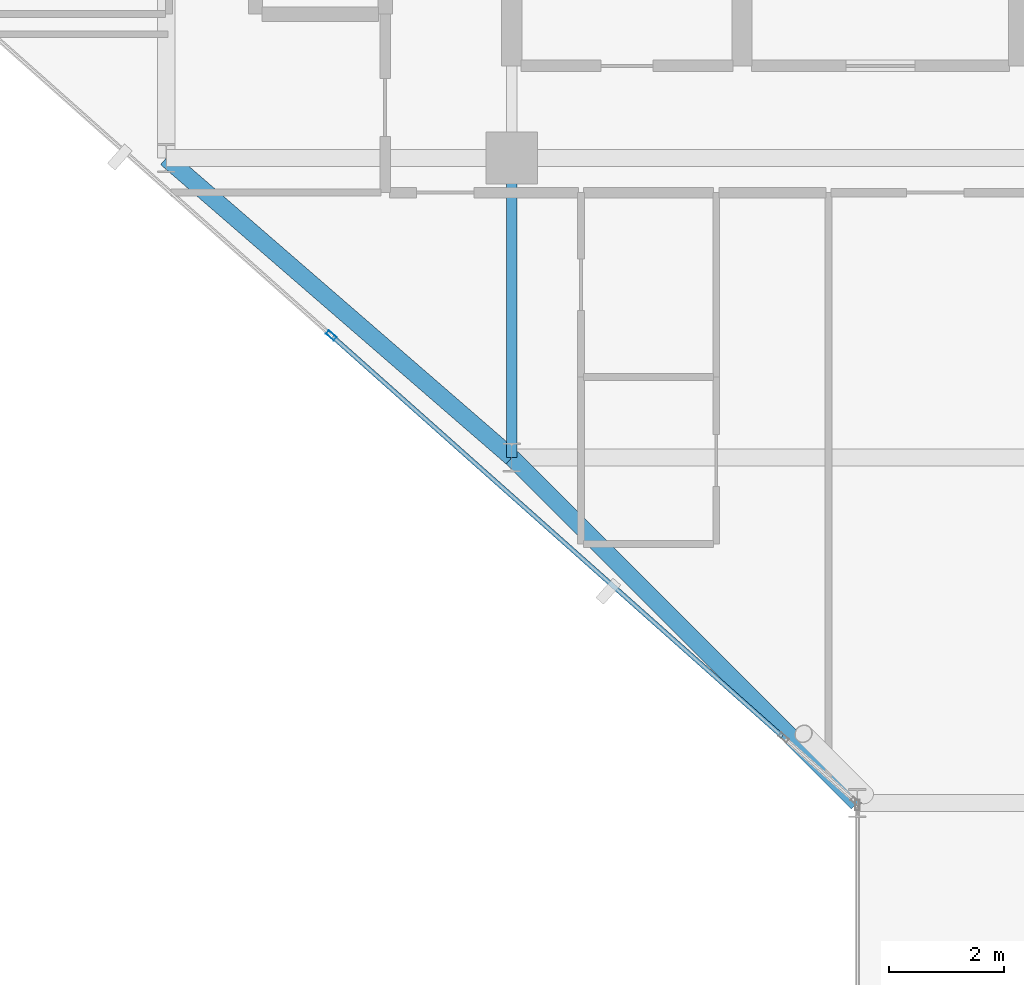
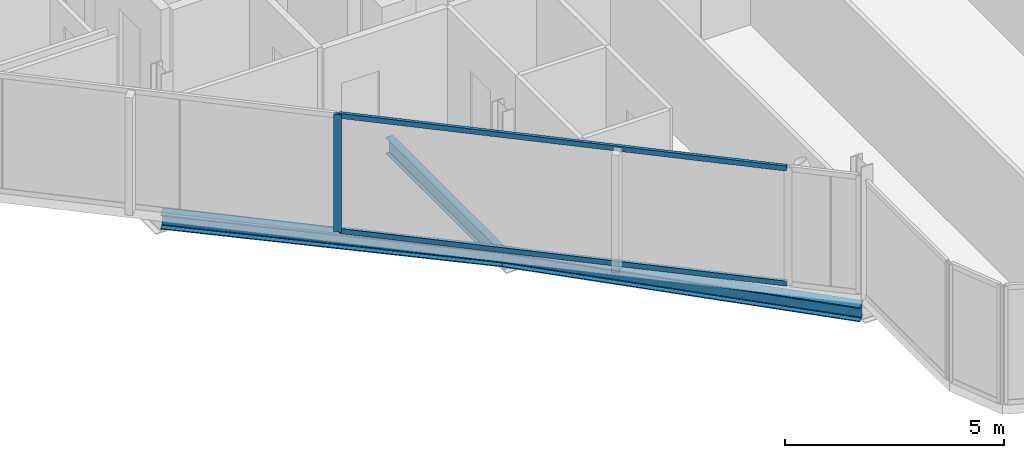
# One storey, part 4 of 31: 3 beams, 3 members, 1 element without a shape of its own.
"""IFC4 building model written with IfcOpenShell, lengths in metres."""

import ifcopenshell
import ifcopenshell.guid

model = None  # the IFC model being written
_history = None  # IfcOwnerHistory: only IFC2X3 demands one
_inside = {}  # id of a spatial element -> (the spatial element, [elements in it])
_under = {}  # id of a project, library or spatial element -> (it, [spatial elements below it])
_declared = {}  # id of a project -> (the project, [libraries it declares])
_typed = {}  # id of a type object -> (the type object, [elements of that type])
_made_of = {}  # id of a material, layer set ... -> (it, [elements and type objects made of it])


def new_model(schema):
    """Start an empty IFC model of exactly this schema.

    Asked for "IFC4X3", IfcOpenShell would pick the latest addendum, in which some entities
    have other attributes; the version numbers below select the first issue.
    IFC2X3 requires an IfcOwnerHistory on every rooted entity: one is made here for all.
    """
    global model, _history
    if schema == "IFC4X3":
        model = ifcopenshell.file(schema_version=(4, 3, 0, 0))
    else:
        model = ifcopenshell.file(schema=schema)
    _inside.clear()
    _under.clear()
    _declared.clear()
    _typed.clear()
    _made_of.clear()
    _history = None
    if model.schema == "IFC2X3":
        org = make("IfcOrganization", Name="unknown")
        user = make(
            "IfcPersonAndOrganization",
            ThePerson=make("IfcPerson", FamilyName="unknown"),
            TheOrganization=org,
        )
        app = make(
            "IfcApplication",
            ApplicationDeveloper=org,
            Version="unknown",
            ApplicationFullName="unknown",
            ApplicationIdentifier="unknown",
        )
        _history = make(
            "IfcOwnerHistory",
            OwningUser=user,
            OwningApplication=app,
            ChangeAction="ADDED",
            CreationDate=0,
        )
    return model


def make(cls, **values):
    """One entity of the class cls with the attributes given. An attribute that is None is left unset."""
    return model.create_entity(
        cls, **{name: value for name, value in values.items() if value is not None}
    )


def rooted(cls, **values):
    """An entity with a GlobalId (a new one), such as an element, a storey or a relation."""
    return make(cls, GlobalId=ifcopenshell.guid.new(), OwnerHistory=_history, **values)


def si_unit(unit_type, name, prefix=None):
    """IfcSIUnit, for example si_unit("LENGTHUNIT", "METRE", prefix="MILLI")."""
    return make("IfcSIUnit", UnitType=unit_type, Prefix=prefix, Name=name)


def assignment(units):
    """IfcUnitAssignment: the units of a project."""
    return None if units is None else make("IfcUnitAssignment", Units=units)


def point(xyz):
    """IfcCartesianPoint."""
    return None if xyz is None else make("IfcCartesianPoint", Coordinates=xyz)


def direction(xyz):
    """IfcDirection."""
    return None if xyz is None else make("IfcDirection", DirectionRatios=xyz)


def frame(location, z_axis=None, x_axis=None):
    """IfcAxis2Placement3D, a coordinate frame: its origin and axes. An axis left out is left unset."""
    return make(
        "IfcAxis2Placement3D",
        Location=point(location),
        Axis=direction(z_axis),
        RefDirection=direction(x_axis),
    )


def frame_2d(location, x_axis=None):
    """IfcAxis2Placement2D, a coordinate frame in the plane: its origin and x axis."""
    return make(
        "IfcAxis2Placement2D", Location=point(location), RefDirection=direction(x_axis)
    )


def origin():
    """The frame at (0, 0, 0) with its axes left unset."""
    return frame((0.0, 0.0, 0.0))


def origin_2d():
    """The frame at (0, 0) in the plane with its x axis left unset."""
    return frame_2d((0.0, 0.0))


def place(relative_to, where):
    """IfcLocalPlacement: puts the frame where relative to a parent placement (None: the world)."""
    return make(
        "IfcLocalPlacement", PlacementRelTo=relative_to, RelativePlacement=where
    )


def context(
    kind, dimensions, precision=None, world=None, true_north=None, identifier=None
):
    """IfcGeometricRepresentationContext, for example the 3D "Model" context."""
    return make(
        "IfcGeometricRepresentationContext",
        ContextIdentifier=identifier,
        ContextType=kind,
        CoordinateSpaceDimension=dimensions,
        Precision=precision,
        WorldCoordinateSystem=world,
        TrueNorth=true_north,
    )


def subcontext(parent, identifier, kind, view, scale=None):
    """IfcGeometricRepresentationSubContext, for example "Body" below "Model"."""
    return make(
        "IfcGeometricRepresentationSubContext",
        ContextIdentifier=identifier,
        ContextType=kind,
        ParentContext=parent,
        TargetScale=scale,
        TargetView=view,
    )


def project(units=None, contexts=None):
    """IfcProject with its units and contexts."""
    return rooted(
        "IfcProject",
        Name="project",
        RepresentationContexts=contexts,
        UnitsInContext=assignment(units),
    )


def spatial(cls, under=None, at=None, **own):
    """A site, building, storey or space (cls), placed at a placement, below another one or the project."""
    s = rooted(cls, ObjectPlacement=at, **own)
    if under is not None:
        _under.setdefault(under.id(), (under, []))[1].append(s)
    return s


def profile(cls, at=None, kind="AREA", **sizes):
    """A parametric profile (cls). Its sizes go by their IFC names, for example OverallWidth=200.0."""
    return make(cls, ProfileType=kind, Position=at, **sizes)


def hollow_rectangle(**sizes):
    """IfcRectangleHollowProfileDef."""
    return profile("IfcRectangleHollowProfileDef", **sizes)


def i_section(**sizes):
    """IfcIShapeProfileDef."""
    return profile("IfcIShapeProfileDef", **sizes)


def extrude(swept, where, along, depth):
    """IfcExtrudedAreaSolid: the profile swept, set in the frame where, extruded along a direction by depth."""
    return make(
        "IfcExtrudedAreaSolid",
        SweptArea=swept,
        Position=where,
        ExtrudedDirection=direction(along),
        Depth=depth,
    )


def shape(context_of_items, identifier, shape_type, items):
    """IfcShapeRepresentation: the items that make up one representation, for example the "Body"."""
    return make(
        "IfcShapeRepresentation",
        ContextOfItems=context_of_items,
        RepresentationIdentifier=identifier,
        RepresentationType=shape_type,
        Items=items,
    )


def material(Name=None, Category=None):
    """IfcMaterial."""
    return make("IfcMaterial", Name=Name, Category=Category)


def layer(
    of_material, thickness, ventilated=None, Name=None, Category=None, Priority=None
):
    """IfcMaterialLayer: one layer of a wall or slab, of a material (None: an air gap)."""
    return make(
        "IfcMaterialLayer",
        Material=of_material,
        LayerThickness=thickness,
        IsVentilated=ventilated,
        Name=Name,
        Category=Category,
        Priority=Priority,
    )


def layer_set(layers, Name=None):
    """IfcMaterialLayerSet."""
    return make("IfcMaterialLayerSet", MaterialLayers=layers, LayerSetName=Name)


def material_profile(
    of_material, cross_section, Name=None, Category=None, Priority=None
):
    """IfcMaterialProfile: a cross section and its material."""
    return make(
        "IfcMaterialProfile",
        Name=Name,
        Material=of_material,
        Profile=cross_section,
        Priority=Priority,
        Category=Category,
    )


def profile_set(profiles, Name=None, composite=None):
    """IfcMaterialProfileSet."""
    return make(
        "IfcMaterialProfileSet",
        Name=Name,
        MaterialProfiles=profiles,
        CompositeProfile=composite,
    )


def made_of(thing, what):
    """Note that an element or type object is made of a material, layer set ...; save() writes the relation."""
    if what is not None:
        _made_of.setdefault(what.id(), (what, []))[1].append(thing)
    return thing


def type_object(cls, material=None, **own):
    """A type object (cls), such as IfcWallType, which elements share."""
    return made_of(rooted(cls, **own), material)


def element(
    cls,
    number,
    at=None,
    inside=None,
    cuts=None,
    type_object=None,
    material=None,
    context=None,
    identifier="Body",
    shape_type=None,
    held_by="IfcProductDefinitionShape",
    body=None,
    shapes=None,
    **own,
):
    """One element of the class cls, such as IfcWall. Its Tag is "e" and its number.

    at: its placement. inside: the storey or other place that contains it. cuts: it is an
    opening in that element (IfcRelVoidsElement). A single representation is given by context,
    identifier, shape_type and body (its items); several are given by shapes. held_by: the class
    of the entity that holds the representations. save() writes the other relations.
    """
    e = rooted(cls, Tag="e%d" % number, ObjectPlacement=at, **own)
    if body is not None:
        shapes = [shape(context, identifier, shape_type, body)]
    if shapes is not None:
        e.Representation = make(held_by, Representations=shapes)
    if inside is not None:
        _inside.setdefault(inside.id(), (inside, []))[1].append(e)
    if cuts is not None:
        rooted(
            "IfcRelVoidsElement", RelatingBuildingElement=cuts, RelatedOpeningElement=e
        )
    if type_object is not None:
        _typed.setdefault(type_object.id(), (type_object, []))[1].append(e)
    return made_of(e, material)


def aggregate(whole, parts):
    """IfcRelAggregates: a whole, such as a stair, and the parts it consists of."""
    return rooted("IfcRelAggregates", RelatingObject=whole, RelatedObjects=parts)


def save(model, path):
    """Write the relations noted so far, then the file.

    IfcRelAggregates (storeys below a building ...), IfcRelContainedInSpatialStructure (elements
    in a storey), IfcRelDefinesByType, IfcRelAssociatesMaterial and IfcRelDeclares: one each for
    every whole, place, type object, material and project.
    """
    for whole, parts in _under.values():
        aggregate(whole, parts)
    for where, things in _inside.values():
        rooted(
            "IfcRelContainedInSpatialStructure",
            RelatedElements=things,
            RelatingStructure=where,
        )
    for kind, things in _typed.values():
        rooted("IfcRelDefinesByType", RelatedObjects=things, RelatingType=kind)
    for what, things in _made_of.values():
        rooted("IfcRelAssociatesMaterial", RelatedObjects=things, RelatingMaterial=what)
    for by, libraries in _declared.values():
        rooted("IfcRelDeclares", RelatingContext=by, RelatedDefinitions=libraries)
    model.write(path)


model = new_model("IFC4")

# Units and contexts
model_context = context("Model", 3, precision=1e-05, world=origin(), true_north=direction((0.0, 1.0)))
body_context = subcontext(model_context, "Body", "Model", "MODEL_VIEW")
ifc_project = project(units=[si_unit("LENGTHUNIT", "METRE"), si_unit("AREAUNIT", "SQUARE_METRE"), si_unit("VOLUMEUNIT", "CUBIC_METRE"), si_unit("PLANEANGLEUNIT", "RADIAN"), si_unit("MASSUNIT", "GRAM", prefix="KILO")], contexts=[model_context])

# Site, building, storey
site_placement = place(None, origin())
site = spatial("IfcSite", under=ifc_project, at=site_placement, CompositionType="ELEMENT")
building_placement = place(site_placement, origin())
building = spatial("IfcBuilding", under=site, at=building_placement, Name="Keshet Zoharim Tower", CompositionType="ELEMENT")
storey_placement = place(building_placement, frame((0.0, 0.0, 155.699951171875)))
storey = spatial("IfcBuildingStorey", under=building, at=storey_placement, Name="L38", CompositionType="ELEMENT", Elevation=155.699951171875)

# Beams
ifc_material_1 = material(Name="Steel S355", Category="steel")
ifc_material_profile_1 = material_profile(ifc_material_1, i_section(OverallWidth=0.18994140625, OverallDepth=0.449951171875, WebThickness=0.009521484375, FlangeThickness=0.0146484375, FilletRadius=0.02099609375, at=origin_2d()), Name="IPE450")
ifc_profile_set_1 = profile_set([ifc_material_profile_1], Name="Steel S355")
beam_type_1 = type_object("IfcBeamType", Name="BM-PRI-IP450", PredefinedType="BEAM", material=ifc_profile_set_1)
beam_1_placement = place(storey_placement, frame((15.0, 12.699951171875, -0.5400390625), z_axis=(0.0, 1.0, 0.0), x_axis=(-1.0, 0.0, 0.0)))
element("IfcBeam", 1, at=beam_1_placement, inside=storey, type_object=beam_type_1, Name="L38 Primary Girder Y-002", PredefinedType="BEAM", context=body_context, shape_type="SweptSolid", body=[
    extrude(i_section(OverallWidth=0.18994140625, OverallDepth=0.449951171875, WebThickness=0.009521484375, FlangeThickness=0.0146484375, FilletRadius=0.02099609375, at=origin_2d()), origin(), (0.0, 0.0, 1.0), 5.199951171875),
])
ifc_material_profile_2 = material_profile(ifc_material_1, i_section(OverallWidth=0.300048828125, OverallDepth=0.39990234375, WebThickness=0.013427734375, FlangeThickness=0.02392578125, FilletRadius=0.027099609375, at=origin_2d()), Name="HEB400")
ifc_profile_set_2 = profile_set([ifc_material_profile_2], Name="Steel S355")
beam_type_2 = type_object("IfcBeamType", Name="BM-SPN-HB400", PredefinedType="SPANDREL", material=ifc_profile_set_2)
beam_2_placement = place(storey_placement, frame((21.0, 6.699951171875, -0.514892578125), z_axis=(-0.707106781187, 0.707106781187, 0.0), x_axis=(-0.707106781187, -0.707106781187, 0.0)))
element("IfcBeam", 2, at=beam_2_placement, inside=storey, type_object=beam_type_2, Name="L38 Perimeter Spandrel Beam 01", PredefinedType="SPANDREL", context=body_context, shape_type="SweptSolid", body=[
    extrude(i_section(OverallWidth=0.300048828125, OverallDepth=0.39990234375, WebThickness=0.013427734375, FlangeThickness=0.02392578125, FilletRadius=0.027099609375, at=origin_2d()), origin(), (0.0, 0.0, 1.0), 8.4853515625),
])
beam_3_placement = place(storey_placement, frame((9.0, 17.89990234375, -0.514892578125), z_axis=(0.755692126483, -0.654927026447, 0.0), x_axis=(0.654927026447, 0.755692126483, 0.0)))
element("IfcBeam", 3, at=beam_3_placement, inside=storey, type_object=beam_type_2, Name="L38 Perimeter Spandrel Beam 02", PredefinedType="SPANDREL", context=body_context, shape_type="SweptSolid", body=[
    extrude(i_section(OverallWidth=0.300048828125, OverallDepth=0.39990234375, WebThickness=0.013427734375, FlangeThickness=0.02392578125, FilletRadius=0.027099609375, at=origin_2d()), origin(), (0.0, 0.0, 1.0), 7.939697265625),
])

# Curtain wall, members
ifc_material_2 = material(Name="Aluminium 6063-T6", Category="aluminium")
ifc_layer = layer(ifc_material_2, 0.159912109375)
ifc_layer_set = layer_set([ifc_layer], Name="Aluminium 6063-T6")
curtain_wall_type = type_object("IfcCurtainWallType", Name="CW-SYS-03", PredefinedType="NOTDEFINED", material=ifc_layer_set)
curtain_wall_placement = place(storey_placement, origin())
curtain_wall = element("IfcCurtainWall", 4, at=curtain_wall_placement, inside=storey, type_object=curtain_wall_type, Name="L38 Unitised Curtain Wall 07 Part 2", PredefinedType="NOTDEFINED")
ifc_material_profile_3 = material_profile(ifc_material_2, hollow_rectangle(XDim=0.080078125, YDim=0.179931640625, WallThickness=0.00439453125, at=origin_2d()), Name="MUL-80x180")
ifc_profile_set_3 = profile_set([ifc_material_profile_3], Name="Aluminium 6063-T6")
member_type_1 = type_object("IfcMemberType", Name="CWM-M18", PredefinedType="MULLION", material=ifc_profile_set_3)
member_1_placement = place(storey_placement, frame((11.865234375, 14.81982421875, 0.0), z_axis=(0.0, 0.0, 1.0), x_axis=(-0.664362653915, -0.74741037194, 0.0)))
member_1 = element("IfcMember", 5, at=member_1_placement, type_object=member_type_1, Name="CW-03 mullion 2", PredefinedType="MULLION", context=body_context, shape_type="SweptSolid", body=[
    extrude(hollow_rectangle(XDim=0.080078125, YDim=0.179931640625, WallThickness=0.00439453125, at=origin_2d()), origin(), (0.0, 0.0, 1.0), 3.280029296875),
])
ifc_material_profile_4 = material_profile(ifc_material_2, hollow_rectangle(XDim=0.080078125, YDim=0.139892578125, WallThickness=0.00390625, at=origin_2d()), Name="TRN-80x140")
ifc_profile_set_4 = profile_set([ifc_material_profile_4], Name="Aluminium 6063-T6")
member_type_2 = type_object("IfcMemberType", Name="CWT-T14", PredefinedType="USERDEFINED", material=ifc_profile_set_4)
member_2_placement = place(storey_placement, frame((19.695556640625, 7.859619140625, 0.03515625), z_axis=(-0.747411898702, 0.664360936298, 0.0), x_axis=(-0.664360936298, -0.747411898702, 0.0)))
member_2 = element("IfcMember", 6, at=member_2_placement, type_object=member_type_2, Name="CW-03 transom 1.1", ObjectType="TRANSOM", PredefinedType="USERDEFINED", context=body_context, shape_type="SweptSolid", body=[
    extrude(hollow_rectangle(XDim=0.080078125, YDim=0.139892578125, WallThickness=0.00390625, at=origin_2d()), origin(), (0.0, 0.0, 1.0), 10.441650390625),
])
member_3_placement = place(storey_placement, frame((19.695556640625, 7.859619140625, 3.2451171875), z_axis=(-0.747411898702, 0.664360936298, 0.0), x_axis=(-0.664360936298, -0.747411898702, 0.0)))
member_3 = element("IfcMember", 7, at=member_3_placement, type_object=member_type_2, Name="CW-03 transom 1.2", ObjectType="TRANSOM", PredefinedType="USERDEFINED", context=body_context, shape_type="SweptSolid", body=[
    extrude(hollow_rectangle(XDim=0.080078125, YDim=0.139892578125, WallThickness=0.00390625, at=origin_2d()), origin(), (0.0, 0.0, 1.0), 10.441650390625),
])
aggregate(curtain_wall, [member_1, member_2, member_3])

save(model, "model.ifc")
